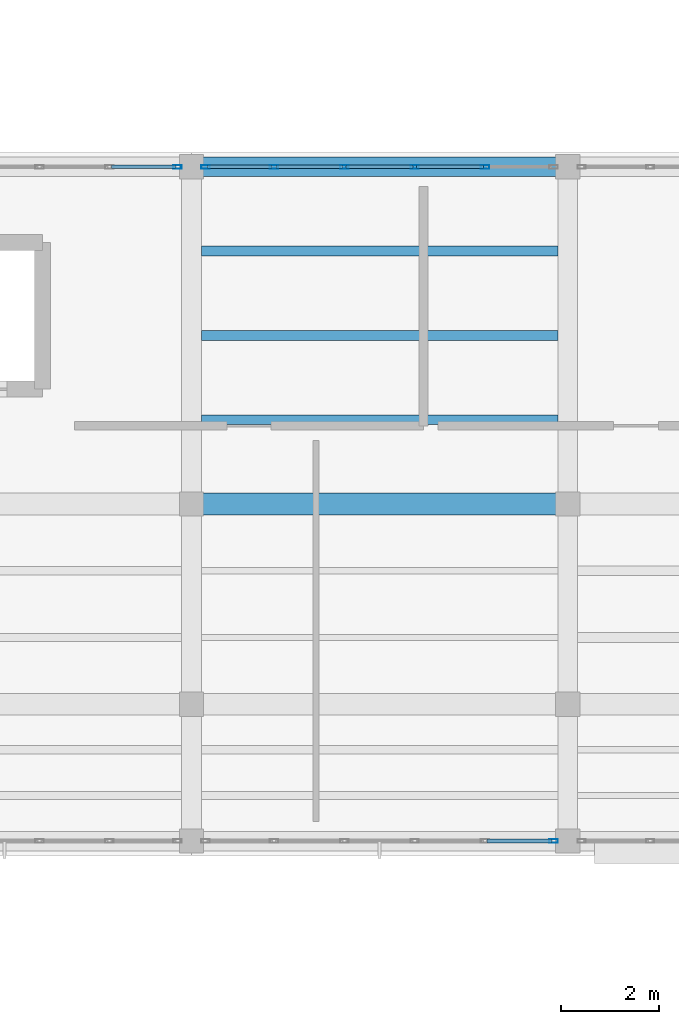
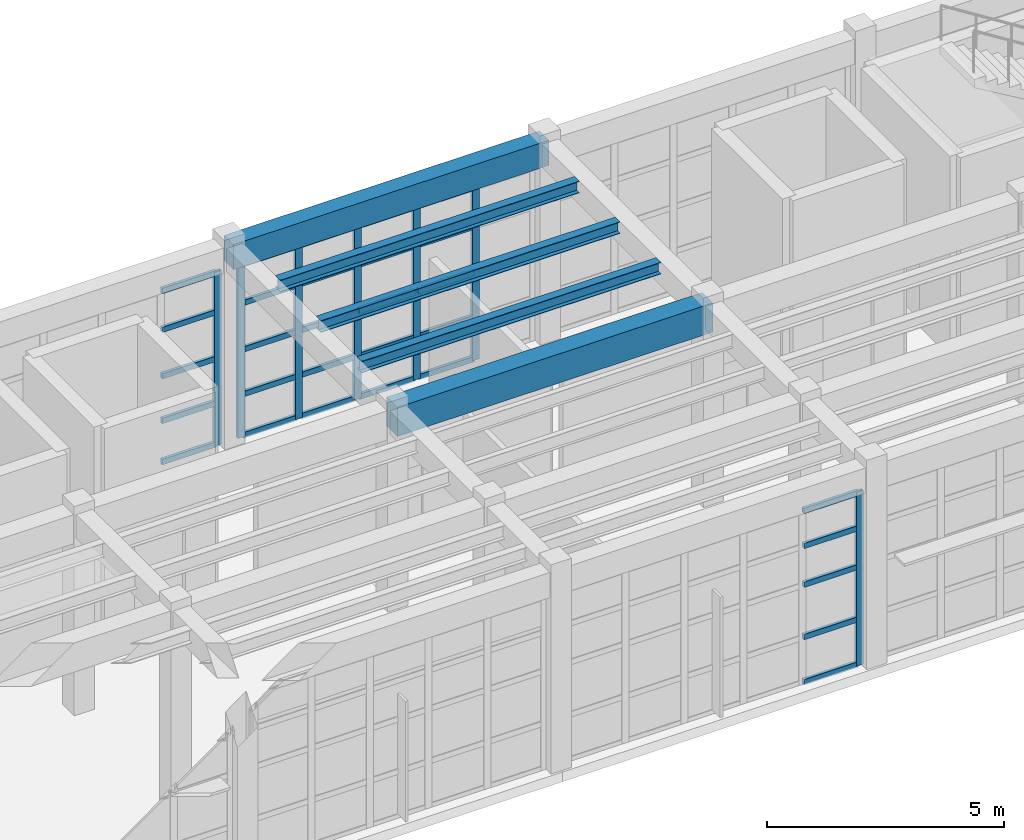
# One storey, part 28 of 103: 37 members, 5 beams, 3 elements without a shape of their own.
"""IFC4 building model written with IfcOpenShell, lengths in metres."""

from ifc_helpers import new_model, si_unit, direction, frame, origin, origin_2d, place, context, subcontext, project, spatial, rectangle, hollow_rectangle, i_section, extrude, material, layer, layer_set, material_profile, profile_set, type_object, element, aggregate, save


model = new_model("IFC4")

# Units and contexts
model_context = context("Model", 3, precision=1e-05, world=origin(), true_north=direction((0.0, 1.0)))
body_context = subcontext(model_context, "Body", "Model", "MODEL_VIEW")
ifc_project = project(units=[si_unit("LENGTHUNIT", "METRE"), si_unit("AREAUNIT", "SQUARE_METRE"), si_unit("VOLUMEUNIT", "CUBIC_METRE"), si_unit("PLANEANGLEUNIT", "RADIAN"), si_unit("MASSUNIT", "GRAM", prefix="KILO")], contexts=[model_context])

# Site, building, storey
site_placement = place(None, origin())
site = spatial("IfcSite", under=ifc_project, at=site_placement, CompositionType="ELEMENT")
building_placement = place(site_placement, origin())
building = spatial("IfcBuilding", under=site, at=building_placement, Name="Candilejo Ridge Gondola Terminal", CompositionType="ELEMENT")
storey_placement = place(building_placement, frame((0.0, 0.0, 9.0)))
storey = spatial("IfcBuildingStorey", under=building, at=storey_placement, Name="L02", CompositionType="ELEMENT", Elevation=9.0)

# Curtain wall, member
ifc_material_1 = material(Name="Anodised aluminium AA 6063-T6", Category="aluminium")
ifc_layer_1 = layer(ifc_material_1, 0.169921875)
ifc_layer_set_1 = layer_set([ifc_layer_1], Name="ARC-CW-GALLERY-3200-715X449")
curtain_wall_type_1 = type_object("IfcCurtainWallType", Name="ARC-CW-GALLERY-3200-715X449", PredefinedType="NOTDEFINED", material=ifc_layer_set_1)
curtain_wall_1_placement = place(storey_placement, origin())
curtain_wall_1 = element("IfcCurtainWall", 1, at=curtain_wall_1_placement, inside=storey, type_object=curtain_wall_type_1, Name="Curtain wall V3 L02-086", PredefinedType="NOTDEFINED")
ifc_material_2 = material(Name="Anodised aluminium AA 6063-T6", Category="aluminium")
ifc_material_profile_1 = material_profile(ifc_material_2, hollow_rectangle(XDim=0.074951171875, YDim=0.169921875, WallThickness=0.00390625, at=origin_2d()))
ifc_profile_set_1 = profile_set([ifc_material_profile_1], Name="Anodised aluminium AA 6063-T6")
member_type_1 = type_object("IfcMemberType", Name="ARC-CW-MULLION", PredefinedType="MULLION", material=ifc_profile_set_1)
member_1_placement = place(storey_placement, frame((109.5625, 36.699951171875, 0.0), z_axis=(0.0, 0.0, 1.0), x_axis=(0.0, 1.0, 0.0)))
member_1 = element("IfcMember", 2, at=member_1_placement, type_object=member_type_1, Name="CW-71X44 mullion 6", PredefinedType="MULLION", context=body_context, shape_type="SweptSolid", body=[
    extrude(hollow_rectangle(XDim=0.074951171875, YDim=0.169921875, WallThickness=0.00390625, at=origin_2d()), origin(), (0.0, 0.0, 1.0), 4.489990234375),
])

# Curtain wall, members
ifc_material_3 = material(Name="Anodised aluminium AA 6063-T6", Category="aluminium")
ifc_layer_2 = layer(ifc_material_3, 0.169921875)
ifc_layer_set_2 = layer_set([ifc_layer_2], Name="ARC-CW-GALLERY-3200-720X449")
curtain_wall_type_2 = type_object("IfcCurtainWallType", Name="ARC-CW-GALLERY-3200-720X449", PredefinedType="NOTDEFINED", material=ifc_layer_set_2)
curtain_wall_2_placement = place(storey_placement, origin())
curtain_wall_2 = element("IfcCurtainWall", 3, at=curtain_wall_2_placement, inside=storey, type_object=curtain_wall_type_2, Name="Curtain wall V3 L02-088", PredefinedType="NOTDEFINED")
member_2_placement = place(storey_placement, frame((110.137451171875, 36.699951171875, 0.0), z_axis=(0.0, 0.0, 1.0), x_axis=(0.0, 1.0, 0.0)))
member_2 = element("IfcMember", 4, at=member_2_placement, type_object=member_type_1, Name="CW-72X44 mullion 1", PredefinedType="MULLION", context=body_context, shape_type="SweptSolid", body=[
    extrude(hollow_rectangle(XDim=0.074951171875, YDim=0.169921875, WallThickness=0.00390625, at=origin_2d()), origin(), (0.0, 0.0, 1.0), 4.489990234375),
])
member_3_placement = place(storey_placement, frame((111.5400390625, 36.699951171875, 0.0), z_axis=(0.0, 0.0, 1.0), x_axis=(0.0, 1.0, 0.0)))
member_3 = element("IfcMember", 5, at=member_3_placement, type_object=member_type_1, Name="CW-72X44 mullion 2", PredefinedType="MULLION", context=body_context, shape_type="SweptSolid", body=[
    extrude(hollow_rectangle(XDim=0.074951171875, YDim=0.169921875, WallThickness=0.00390625, at=origin_2d()), origin(), (0.0, 0.0, 1.0), 4.489990234375),
])
member_4_placement = place(storey_placement, frame((112.97998046875, 36.699951171875, 0.0), z_axis=(0.0, 0.0, 1.0), x_axis=(0.0, 1.0, 0.0)))
member_4 = element("IfcMember", 6, at=member_4_placement, type_object=member_type_1, Name="CW-72X44 mullion 3", PredefinedType="MULLION", context=body_context, shape_type="SweptSolid", body=[
    extrude(hollow_rectangle(XDim=0.074951171875, YDim=0.169921875, WallThickness=0.00390625, at=origin_2d()), origin(), (0.0, 0.0, 1.0), 4.489990234375),
])
member_5_placement = place(storey_placement, frame((114.419921875, 36.699951171875, 0.0), z_axis=(0.0, 0.0, 1.0), x_axis=(0.0, 1.0, 0.0)))
member_5 = element("IfcMember", 7, at=member_5_placement, type_object=member_type_1, Name="CW-72X44 mullion 4", PredefinedType="MULLION", context=body_context, shape_type="SweptSolid", body=[
    extrude(hollow_rectangle(XDim=0.074951171875, YDim=0.169921875, WallThickness=0.00390625, at=origin_2d()), origin(), (0.0, 0.0, 1.0), 4.489990234375),
])
member_6_placement = place(storey_placement, frame((115.860107421875, 36.699951171875, 0.0), z_axis=(0.0, 0.0, 1.0), x_axis=(0.0, 1.0, 0.0)))
member_6 = element("IfcMember", 8, at=member_6_placement, type_object=member_type_1, Name="CW-72X44 mullion 5", PredefinedType="MULLION", context=body_context, shape_type="SweptSolid", body=[
    extrude(hollow_rectangle(XDim=0.074951171875, YDim=0.169921875, WallThickness=0.00390625, at=origin_2d()), origin(), (0.0, 0.0, 1.0), 4.489990234375),
])

# Curtain wall, member
ifc_material_4 = material(Name="Anodised aluminium AA 6063-T6", Category="aluminium")
ifc_layer_3 = layer(ifc_material_4, 0.169921875)
ifc_layer_set_3 = layer_set([ifc_layer_3], Name="ARC-CW-CONCOURSE-3600-720X449")
curtain_wall_type_3 = type_object("IfcCurtainWallType", Name="ARC-CW-CONCOURSE-3600-720X449", PredefinedType="NOTDEFINED", material=ifc_layer_set_3)
curtain_wall_3_placement = place(storey_placement, origin())
curtain_wall_3 = element("IfcCurtainWall", 9, at=curtain_wall_3_placement, inside=storey, type_object=curtain_wall_type_3, Name="Curtain wall V3 L02-089", PredefinedType="NOTDEFINED")
member_7_placement = place(storey_placement, frame((117.262451171875, 22.89990234375, 0.0), z_axis=(0.0, 0.0, 1.0), x_axis=(0.0, 1.0, 0.0)))
member_7 = element("IfcMember", 10, at=member_7_placement, type_object=member_type_1, Name="CW-72X44 mullion 6", PredefinedType="MULLION", context=body_context, shape_type="SweptSolid", body=[
    extrude(hollow_rectangle(XDim=0.074951171875, YDim=0.169921875, WallThickness=0.00390625, at=origin_2d()), origin(), (0.0, 0.0, 1.0), 4.489990234375),
])

# Member
ifc_material_5 = material(Name="Anodised aluminium AA 6063-T6", Category="aluminium")
ifc_material_profile_2 = material_profile(ifc_material_5, hollow_rectangle(XDim=0.074951171875, YDim=0.139892578125, WallThickness=0.00390625, at=origin_2d()))
ifc_profile_set_2 = profile_set([ifc_material_profile_2], Name="Anodised aluminium AA 6063-T6")
member_type_2 = type_object("IfcMemberType", Name="ARC-CW-TRANSOM", PredefinedType="USERDEFINED", material=ifc_profile_set_2)
member_8_placement = place(storey_placement, frame((108.20751953125, 36.699951171875, 0.03759765625), z_axis=(1.0, 0.0, 0.0), x_axis=(0.0, 1.0, 0.0)))
member_8 = element("IfcMember", 11, at=member_8_placement, type_object=member_type_2, Name="CW-71X44 transom 5.1", ObjectType="TRANSOM", PredefinedType="USERDEFINED", context=body_context, shape_type="SweptSolid", body=[
    extrude(hollow_rectangle(XDim=0.074951171875, YDim=0.139892578125, WallThickness=0.00390625, at=origin_2d()), origin(), (0.0, 0.0, 1.0), 1.3173828125),
])

member_9_placement = place(storey_placement, frame((108.20751953125, 36.699951171875, 1.10009765625), z_axis=(1.0, 0.0, 0.0), x_axis=(0.0, 1.0, 0.0)))
member_9 = element("IfcMember", 12, at=member_9_placement, type_object=member_type_2, Name="CW-71X44 transom 5.2", ObjectType="TRANSOM", PredefinedType="USERDEFINED", context=body_context, shape_type="SweptSolid", body=[
    extrude(hollow_rectangle(XDim=0.074951171875, YDim=0.139892578125, WallThickness=0.00390625, at=origin_2d()), origin(), (0.0, 0.0, 1.0), 1.3173828125),
])

member_10_placement = place(storey_placement, frame((108.20751953125, 36.699951171875, 2.25), z_axis=(1.0, 0.0, 0.0), x_axis=(0.0, 1.0, 0.0)))
member_10 = element("IfcMember", 13, at=member_10_placement, type_object=member_type_2, Name="CW-71X44 transom 5.3", ObjectType="TRANSOM", PredefinedType="USERDEFINED", context=body_context, shape_type="SweptSolid", body=[
    extrude(hollow_rectangle(XDim=0.074951171875, YDim=0.139892578125, WallThickness=0.00390625, at=origin_2d()), origin(), (0.0, 0.0, 1.0), 1.3173828125),
])

member_11_placement = place(storey_placement, frame((108.20751953125, 36.699951171875, 3.449951171875), z_axis=(1.0, 0.0, 0.0), x_axis=(0.0, 1.0, 0.0)))
member_11 = element("IfcMember", 14, at=member_11_placement, type_object=member_type_2, Name="CW-71X44 transom 5.4", ObjectType="TRANSOM", PredefinedType="USERDEFINED", context=body_context, shape_type="SweptSolid", body=[
    extrude(hollow_rectangle(XDim=0.074951171875, YDim=0.139892578125, WallThickness=0.00390625, at=origin_2d()), origin(), (0.0, 0.0, 1.0), 1.3173828125),
])

member_12_placement = place(storey_placement, frame((108.20751953125, 36.699951171875, 4.452392578125), z_axis=(1.0, 0.0, 0.0), x_axis=(0.0, 1.0, 0.0)))
member_12 = element("IfcMember", 15, at=member_12_placement, type_object=member_type_2, Name="CW-71X44 transom 5.5", ObjectType="TRANSOM", PredefinedType="USERDEFINED", context=body_context, shape_type="SweptSolid", body=[
    extrude(hollow_rectangle(XDim=0.074951171875, YDim=0.139892578125, WallThickness=0.00390625, at=origin_2d()), origin(), (0.0, 0.0, 1.0), 1.3173828125),
])

aggregate(curtain_wall_1, [member_1, member_8, member_9, member_10, member_11, member_12])

member_13_placement = place(storey_placement, frame((110.175048828125, 36.699951171875, 0.03759765625), z_axis=(1.0, 0.0, 0.0), x_axis=(0.0, 1.0, 0.0)))
member_13 = element("IfcMember", 16, at=member_13_placement, type_object=member_type_2, Name="CW-72X44 transom 1.1", ObjectType="TRANSOM", PredefinedType="USERDEFINED", context=body_context, shape_type="SweptSolid", body=[
    extrude(hollow_rectangle(XDim=0.074951171875, YDim=0.139892578125, WallThickness=0.00390625, at=origin_2d()), origin(), (0.0, 0.0, 1.0), 1.327392578125),
])

member_14_placement = place(storey_placement, frame((110.175048828125, 36.699951171875, 1.10009765625), z_axis=(1.0, 0.0, 0.0), x_axis=(0.0, 1.0, 0.0)))
member_14 = element("IfcMember", 17, at=member_14_placement, type_object=member_type_2, Name="CW-72X44 transom 1.2", ObjectType="TRANSOM", PredefinedType="USERDEFINED", context=body_context, shape_type="SweptSolid", body=[
    extrude(hollow_rectangle(XDim=0.074951171875, YDim=0.139892578125, WallThickness=0.00390625, at=origin_2d()), origin(), (0.0, 0.0, 1.0), 1.327392578125),
])

member_15_placement = place(storey_placement, frame((110.175048828125, 36.699951171875, 2.25), z_axis=(1.0, 0.0, 0.0), x_axis=(0.0, 1.0, 0.0)))
member_15 = element("IfcMember", 18, at=member_15_placement, type_object=member_type_2, Name="CW-72X44 transom 1.3", ObjectType="TRANSOM", PredefinedType="USERDEFINED", context=body_context, shape_type="SweptSolid", body=[
    extrude(hollow_rectangle(XDim=0.074951171875, YDim=0.139892578125, WallThickness=0.00390625, at=origin_2d()), origin(), (0.0, 0.0, 1.0), 1.327392578125),
])

member_16_placement = place(storey_placement, frame((110.175048828125, 36.699951171875, 3.449951171875), z_axis=(1.0, 0.0, 0.0), x_axis=(0.0, 1.0, 0.0)))
member_16 = element("IfcMember", 19, at=member_16_placement, type_object=member_type_2, Name="CW-72X44 transom 1.4", ObjectType="TRANSOM", PredefinedType="USERDEFINED", context=body_context, shape_type="SweptSolid", body=[
    extrude(hollow_rectangle(XDim=0.074951171875, YDim=0.139892578125, WallThickness=0.00390625, at=origin_2d()), origin(), (0.0, 0.0, 1.0), 1.327392578125),
])

member_17_placement = place(storey_placement, frame((110.175048828125, 36.699951171875, 4.452392578125), z_axis=(1.0, 0.0, 0.0), x_axis=(0.0, 1.0, 0.0)))
member_17 = element("IfcMember", 20, at=member_17_placement, type_object=member_type_2, Name="CW-72X44 transom 1.5", ObjectType="TRANSOM", PredefinedType="USERDEFINED", context=body_context, shape_type="SweptSolid", body=[
    extrude(hollow_rectangle(XDim=0.074951171875, YDim=0.139892578125, WallThickness=0.00390625, at=origin_2d()), origin(), (0.0, 0.0, 1.0), 1.327392578125),
])

member_18_placement = place(storey_placement, frame((111.577392578125, 36.699951171875, 0.03759765625), z_axis=(1.0, 0.0, 0.0), x_axis=(0.0, 1.0, 0.0)))
member_18 = element("IfcMember", 21, at=member_18_placement, type_object=member_type_2, Name="CW-72X44 transom 2.1", ObjectType="TRANSOM", PredefinedType="USERDEFINED", context=body_context, shape_type="SweptSolid", body=[
    extrude(hollow_rectangle(XDim=0.074951171875, YDim=0.139892578125, WallThickness=0.00390625, at=origin_2d()), origin(), (0.0, 0.0, 1.0), 1.364990234375),
])

member_19_placement = place(storey_placement, frame((111.577392578125, 36.699951171875, 1.10009765625), z_axis=(1.0, 0.0, 0.0), x_axis=(0.0, 1.0, 0.0)))
member_19 = element("IfcMember", 22, at=member_19_placement, type_object=member_type_2, Name="CW-72X44 transom 2.2", ObjectType="TRANSOM", PredefinedType="USERDEFINED", context=body_context, shape_type="SweptSolid", body=[
    extrude(hollow_rectangle(XDim=0.074951171875, YDim=0.139892578125, WallThickness=0.00390625, at=origin_2d()), origin(), (0.0, 0.0, 1.0), 1.364990234375),
])

member_20_placement = place(storey_placement, frame((111.577392578125, 36.699951171875, 2.25), z_axis=(1.0, 0.0, 0.0), x_axis=(0.0, 1.0, 0.0)))
member_20 = element("IfcMember", 23, at=member_20_placement, type_object=member_type_2, Name="CW-72X44 transom 2.3", ObjectType="TRANSOM", PredefinedType="USERDEFINED", context=body_context, shape_type="SweptSolid", body=[
    extrude(hollow_rectangle(XDim=0.074951171875, YDim=0.139892578125, WallThickness=0.00390625, at=origin_2d()), origin(), (0.0, 0.0, 1.0), 1.364990234375),
])

member_21_placement = place(storey_placement, frame((111.577392578125, 36.699951171875, 3.449951171875), z_axis=(1.0, 0.0, 0.0), x_axis=(0.0, 1.0, 0.0)))
member_21 = element("IfcMember", 24, at=member_21_placement, type_object=member_type_2, Name="CW-72X44 transom 2.4", ObjectType="TRANSOM", PredefinedType="USERDEFINED", context=body_context, shape_type="SweptSolid", body=[
    extrude(hollow_rectangle(XDim=0.074951171875, YDim=0.139892578125, WallThickness=0.00390625, at=origin_2d()), origin(), (0.0, 0.0, 1.0), 1.364990234375),
])

member_22_placement = place(storey_placement, frame((111.577392578125, 36.699951171875, 4.452392578125), z_axis=(1.0, 0.0, 0.0), x_axis=(0.0, 1.0, 0.0)))
member_22 = element("IfcMember", 25, at=member_22_placement, type_object=member_type_2, Name="CW-72X44 transom 2.5", ObjectType="TRANSOM", PredefinedType="USERDEFINED", context=body_context, shape_type="SweptSolid", body=[
    extrude(hollow_rectangle(XDim=0.074951171875, YDim=0.139892578125, WallThickness=0.00390625, at=origin_2d()), origin(), (0.0, 0.0, 1.0), 1.364990234375),
])

member_23_placement = place(storey_placement, frame((113.017578125, 36.699951171875, 0.03759765625), z_axis=(1.0, 0.0, 0.0), x_axis=(0.0, 1.0, 0.0)))
member_23 = element("IfcMember", 26, at=member_23_placement, type_object=member_type_2, Name="CW-72X44 transom 3.1", ObjectType="TRANSOM", PredefinedType="USERDEFINED", context=body_context, shape_type="SweptSolid", body=[
    extrude(hollow_rectangle(XDim=0.074951171875, YDim=0.139892578125, WallThickness=0.00390625, at=origin_2d()), origin(), (0.0, 0.0, 1.0), 1.364990234375),
])

member_24_placement = place(storey_placement, frame((113.017578125, 36.699951171875, 1.10009765625), z_axis=(1.0, 0.0, 0.0), x_axis=(0.0, 1.0, 0.0)))
member_24 = element("IfcMember", 27, at=member_24_placement, type_object=member_type_2, Name="CW-72X44 transom 3.2", ObjectType="TRANSOM", PredefinedType="USERDEFINED", context=body_context, shape_type="SweptSolid", body=[
    extrude(hollow_rectangle(XDim=0.074951171875, YDim=0.139892578125, WallThickness=0.00390625, at=origin_2d()), origin(), (0.0, 0.0, 1.0), 1.364990234375),
])

member_25_placement = place(storey_placement, frame((113.017578125, 36.699951171875, 2.25), z_axis=(1.0, 0.0, 0.0), x_axis=(0.0, 1.0, 0.0)))
member_25 = element("IfcMember", 28, at=member_25_placement, type_object=member_type_2, Name="CW-72X44 transom 3.3", ObjectType="TRANSOM", PredefinedType="USERDEFINED", context=body_context, shape_type="SweptSolid", body=[
    extrude(hollow_rectangle(XDim=0.074951171875, YDim=0.139892578125, WallThickness=0.00390625, at=origin_2d()), origin(), (0.0, 0.0, 1.0), 1.364990234375),
])

member_26_placement = place(storey_placement, frame((113.017578125, 36.699951171875, 3.449951171875), z_axis=(1.0, 0.0, 0.0), x_axis=(0.0, 1.0, 0.0)))
member_26 = element("IfcMember", 29, at=member_26_placement, type_object=member_type_2, Name="CW-72X44 transom 3.4", ObjectType="TRANSOM", PredefinedType="USERDEFINED", context=body_context, shape_type="SweptSolid", body=[
    extrude(hollow_rectangle(XDim=0.074951171875, YDim=0.139892578125, WallThickness=0.00390625, at=origin_2d()), origin(), (0.0, 0.0, 1.0), 1.364990234375),
])

member_27_placement = place(storey_placement, frame((113.017578125, 36.699951171875, 4.452392578125), z_axis=(1.0, 0.0, 0.0), x_axis=(0.0, 1.0, 0.0)))
member_27 = element("IfcMember", 30, at=member_27_placement, type_object=member_type_2, Name="CW-72X44 transom 3.5", ObjectType="TRANSOM", PredefinedType="USERDEFINED", context=body_context, shape_type="SweptSolid", body=[
    extrude(hollow_rectangle(XDim=0.074951171875, YDim=0.139892578125, WallThickness=0.00390625, at=origin_2d()), origin(), (0.0, 0.0, 1.0), 1.364990234375),
])

member_28_placement = place(storey_placement, frame((114.45751953125, 36.699951171875, 0.03759765625), z_axis=(1.0, 0.0, 0.0), x_axis=(0.0, 1.0, 0.0)))
member_28 = element("IfcMember", 31, at=member_28_placement, type_object=member_type_2, Name="CW-72X44 transom 4.1", ObjectType="TRANSOM", PredefinedType="USERDEFINED", context=body_context, shape_type="SweptSolid", body=[
    extrude(hollow_rectangle(XDim=0.074951171875, YDim=0.139892578125, WallThickness=0.00390625, at=origin_2d()), origin(), (0.0, 0.0, 1.0), 1.364990234375),
])

member_29_placement = place(storey_placement, frame((114.45751953125, 36.699951171875, 1.10009765625), z_axis=(1.0, 0.0, 0.0), x_axis=(0.0, 1.0, 0.0)))
member_29 = element("IfcMember", 32, at=member_29_placement, type_object=member_type_2, Name="CW-72X44 transom 4.2", ObjectType="TRANSOM", PredefinedType="USERDEFINED", context=body_context, shape_type="SweptSolid", body=[
    extrude(hollow_rectangle(XDim=0.074951171875, YDim=0.139892578125, WallThickness=0.00390625, at=origin_2d()), origin(), (0.0, 0.0, 1.0), 1.364990234375),
])

member_30_placement = place(storey_placement, frame((114.45751953125, 36.699951171875, 2.25), z_axis=(1.0, 0.0, 0.0), x_axis=(0.0, 1.0, 0.0)))
member_30 = element("IfcMember", 33, at=member_30_placement, type_object=member_type_2, Name="CW-72X44 transom 4.3", ObjectType="TRANSOM", PredefinedType="USERDEFINED", context=body_context, shape_type="SweptSolid", body=[
    extrude(hollow_rectangle(XDim=0.074951171875, YDim=0.139892578125, WallThickness=0.00390625, at=origin_2d()), origin(), (0.0, 0.0, 1.0), 1.364990234375),
])

member_31_placement = place(storey_placement, frame((114.45751953125, 36.699951171875, 3.449951171875), z_axis=(1.0, 0.0, 0.0), x_axis=(0.0, 1.0, 0.0)))
member_31 = element("IfcMember", 34, at=member_31_placement, type_object=member_type_2, Name="CW-72X44 transom 4.4", ObjectType="TRANSOM", PredefinedType="USERDEFINED", context=body_context, shape_type="SweptSolid", body=[
    extrude(hollow_rectangle(XDim=0.074951171875, YDim=0.139892578125, WallThickness=0.00390625, at=origin_2d()), origin(), (0.0, 0.0, 1.0), 1.364990234375),
])

member_32_placement = place(storey_placement, frame((114.45751953125, 36.699951171875, 4.452392578125), z_axis=(1.0, 0.0, 0.0), x_axis=(0.0, 1.0, 0.0)))
member_32 = element("IfcMember", 35, at=member_32_placement, type_object=member_type_2, Name="CW-72X44 transom 4.5", ObjectType="TRANSOM", PredefinedType="USERDEFINED", context=body_context, shape_type="SweptSolid", body=[
    extrude(hollow_rectangle(XDim=0.074951171875, YDim=0.139892578125, WallThickness=0.00390625, at=origin_2d()), origin(), (0.0, 0.0, 1.0), 1.364990234375),
])

aggregate(curtain_wall_2, [member_2, member_3, member_4, member_5, member_6, member_13, member_14, member_15, member_16, member_17, member_18, member_19, member_20, member_21, member_22, member_23, member_24, member_25, member_26, member_27, member_28, member_29, member_30, member_31, member_32])

member_33_placement = place(storey_placement, frame((115.8974609375, 22.89990234375, 0.03759765625), z_axis=(1.0, 0.0, 0.0), x_axis=(0.0, 1.0, 0.0)))
member_33 = element("IfcMember", 36, at=member_33_placement, type_object=member_type_2, Name="CW-72X44 transom 5.1", ObjectType="TRANSOM", PredefinedType="USERDEFINED", context=body_context, shape_type="SweptSolid", body=[
    extrude(hollow_rectangle(XDim=0.074951171875, YDim=0.139892578125, WallThickness=0.00390625, at=origin_2d()), origin(), (0.0, 0.0, 1.0), 1.32763671875),
])

member_34_placement = place(storey_placement, frame((115.8974609375, 22.89990234375, 1.199951171875), z_axis=(1.0, 0.0, 0.0), x_axis=(0.0, 1.0, 0.0)))
member_34 = element("IfcMember", 37, at=member_34_placement, type_object=member_type_2, Name="CW-72X44 transom 5.2", ObjectType="TRANSOM", PredefinedType="USERDEFINED", context=body_context, shape_type="SweptSolid", body=[
    extrude(hollow_rectangle(XDim=0.074951171875, YDim=0.139892578125, WallThickness=0.00390625, at=origin_2d()), origin(), (0.0, 0.0, 1.0), 1.32763671875),
])

member_35_placement = place(storey_placement, frame((115.8974609375, 22.89990234375, 2.550048828125), z_axis=(1.0, 0.0, 0.0), x_axis=(0.0, 1.0, 0.0)))
member_35 = element("IfcMember", 38, at=member_35_placement, type_object=member_type_2, Name="CW-72X44 transom 5.3", ObjectType="TRANSOM", PredefinedType="USERDEFINED", context=body_context, shape_type="SweptSolid", body=[
    extrude(hollow_rectangle(XDim=0.074951171875, YDim=0.139892578125, WallThickness=0.00390625, at=origin_2d()), origin(), (0.0, 0.0, 1.0), 1.32763671875),
])

member_36_placement = place(storey_placement, frame((115.8974609375, 22.89990234375, 3.550048828125), z_axis=(1.0, 0.0, 0.0), x_axis=(0.0, 1.0, 0.0)))
member_36 = element("IfcMember", 39, at=member_36_placement, type_object=member_type_2, Name="CW-72X44 transom 5.4", ObjectType="TRANSOM", PredefinedType="USERDEFINED", context=body_context, shape_type="SweptSolid", body=[
    extrude(hollow_rectangle(XDim=0.074951171875, YDim=0.139892578125, WallThickness=0.00390625, at=origin_2d()), origin(), (0.0, 0.0, 1.0), 1.32763671875),
])

member_37_placement = place(storey_placement, frame((115.8974609375, 22.89990234375, 4.452392578125), z_axis=(1.0, 0.0, 0.0), x_axis=(0.0, 1.0, 0.0)))
member_37 = element("IfcMember", 40, at=member_37_placement, type_object=member_type_2, Name="CW-72X44 transom 5.5", ObjectType="TRANSOM", PredefinedType="USERDEFINED", context=body_context, shape_type="SweptSolid", body=[
    extrude(hollow_rectangle(XDim=0.074951171875, YDim=0.139892578125, WallThickness=0.00390625, at=origin_2d()), origin(), (0.0, 0.0, 1.0), 1.32763671875),
])

aggregate(curtain_wall_3, [member_7, member_33, member_34, member_35, member_36, member_37])

# Beams
ifc_material_6 = material(Name="Concrete f'c 35 MPa (C35/45)", Category="concrete")
ifc_material_profile_3 = material_profile(ifc_material_6, rectangle(XDim=0.449951171875, YDim=0.75, at=origin_2d()))
ifc_profile_set_3 = profile_set([ifc_material_profile_3], Name="Concrete f'c 35 MPa (C35/45)")
beam_type_1 = type_object("IfcBeamType", Name="STR-BM-RC450X750", PredefinedType="BEAM", material=ifc_profile_set_3)
beam_1_placement = place(storey_placement, frame((109.85009765625, 29.800048828125, 4.800048828125), z_axis=(1.0, 0.0, 0.0), x_axis=(0.0, 1.0, 0.0)))
element("IfcBeam", 41, at=beam_1_placement, inside=storey, type_object=beam_type_1, Name="Beam X V3 L02 X17-X18@Y06", PredefinedType="BEAM", context=body_context, shape_type="SweptSolid", body=[
    extrude(rectangle(XDim=0.449951171875, YDim=0.75, at=origin_2d()), origin(), (0.0, 0.0, 1.0), 7.699951171875),
])
ifc_material_7 = material(Name="Steel ASTM A992 Grade 50", Category="steel")
ifc_material_profile_4 = material_profile(ifc_material_7, i_section(OverallWidth=0.202880859375, OverallDepth=0.302978515625, WebThickness=0.007568359375, FlangeThickness=0.01318359375, at=origin_2d()))
ifc_profile_set_4 = profile_set([ifc_material_profile_4], Name="Steel ASTM A992 Grade 50")
beam_type_2 = type_object("IfcBeamType", Name="STR-JST-W310X60", PredefinedType="JOIST", material=ifc_profile_set_4)
for number, where, z_axis, x_axis, name in (
    (42, (110.050048828125, 31.52490234375, 5.0234375), (1.0, 0.0, 0.0), (0.0, 1.0, 0.0), "Composite joist V3 L02-0571"),
    (43, (110.050048828125, 33.25, 5.0234375), (1.0, 0.0, 0.0), (0.0, 1.0, 0.0), "Composite joist V3 L02-0572"),
    (44, (110.050048828125, 34.97509765625, 5.0234375), (1.0, 0.0, 0.0), (0.0, 1.0, 0.0), "Composite joist V3 L02-0573"),
):
    element("IfcBeam", number, at=place(storey_placement, frame(where, z_axis=z_axis, x_axis=x_axis)), inside=storey, type_object=beam_type_2, Name=name, PredefinedType="JOIST", context=body_context, shape_type="SweptSolid", body=[
        extrude(i_section(OverallWidth=0.202880859375, OverallDepth=0.302978515625, WebThickness=0.007568359375, FlangeThickness=0.01318359375, at=origin_2d()), origin(), (0.0, 0.0, 1.0), 7.300048828125),
    ])
ifc_material_8 = material(Name="Concrete f'c 35 MPa (C35/45)", Category="concrete")
ifc_material_profile_5 = material_profile(ifc_material_8, rectangle(XDim=0.39990234375, YDim=0.64990234375, at=origin_2d()))
ifc_profile_set_5 = profile_set([ifc_material_profile_5], Name="Concrete f'c 35 MPa (C35/45)")
beam_type_3 = type_object("IfcBeamType", Name="STR-SPN-RC400X650", PredefinedType="SPANDREL", material=ifc_profile_set_5)
beam_2_placement = place(storey_placement, frame((109.85009765625, 36.699951171875, 4.85009765625), z_axis=(1.0, 0.0, 0.0), x_axis=(0.0, 1.0, 0.0)))
element("IfcBeam", 45, at=beam_2_placement, inside=storey, type_object=beam_type_3, Name="Beam X V3 L02 X17-X18@Y07", PredefinedType="SPANDREL", context=body_context, shape_type="SweptSolid", body=[
    extrude(rectangle(XDim=0.39990234375, YDim=0.64990234375, at=origin_2d()), origin(), (0.0, 0.0, 1.0), 7.699951171875),
])

save(model, "model.ifc")
